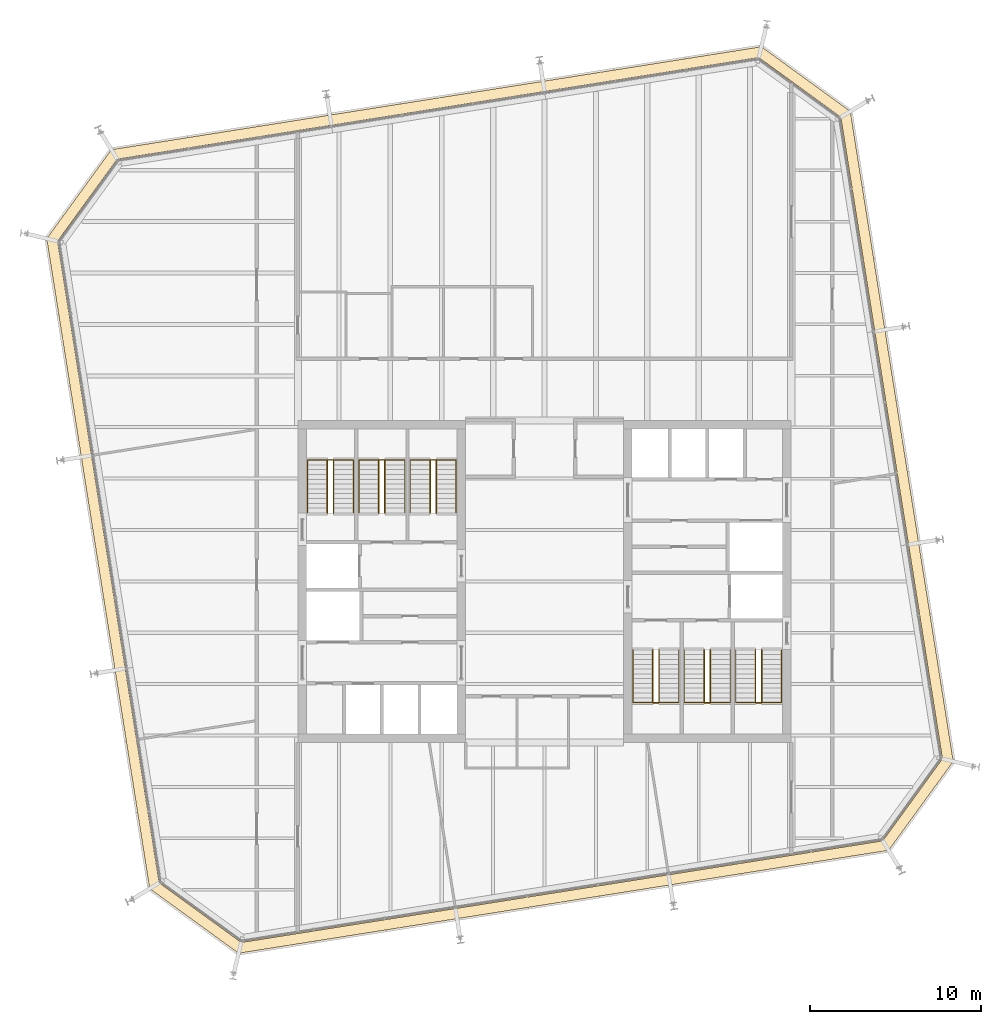
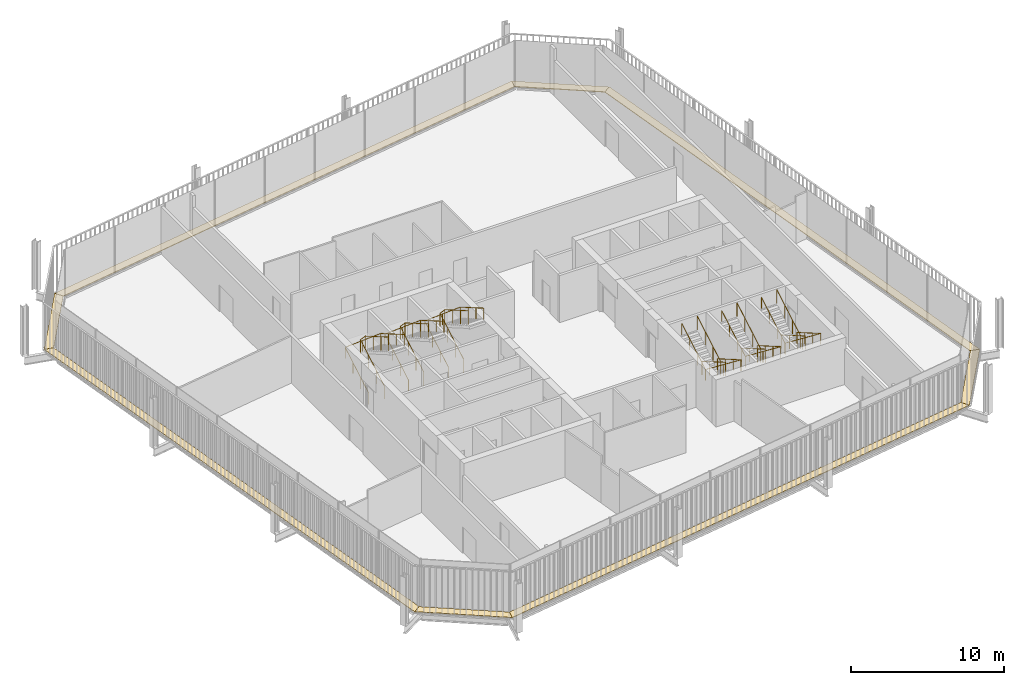
# One storey, part 20 of 20: 12 railings, 8 coverings.
"""IFC4 building model written with IfcOpenShell, lengths in metres."""

from ifc_helpers import new_model, si_unit, direction, frame, origin, origin_2d, place, context, subcontext, project, spatial, polyline, circle, outline, extrude, material, layer, layer_set, type_object, element, save


model = new_model("IFC4")

# Units and contexts
model_context = context("Model", 3, precision=1e-05, world=origin(), true_north=direction((0.0, 1.0)))
body_context = subcontext(model_context, "Body", "Model", "MODEL_VIEW")
ifc_project = project(units=[si_unit("LENGTHUNIT", "METRE"), si_unit("AREAUNIT", "SQUARE_METRE"), si_unit("VOLUMEUNIT", "CUBIC_METRE"), si_unit("PLANEANGLEUNIT", "RADIAN"), si_unit("MASSUNIT", "GRAM", prefix="KILO")], contexts=[model_context])

# Site, building, storey
site_placement = place(None, origin())
site = spatial("IfcSite", under=ifc_project, at=site_placement, CompositionType="ELEMENT")
building_placement = place(site_placement, origin())
building = spatial("IfcBuilding", under=site, at=building_placement, Name="Millrace Tower", CompositionType="ELEMENT")
storey_placement = place(building_placement, frame((0.0, 0.0, 259.10009765625)))
storey = spatial("IfcBuildingStorey", under=building, at=storey_placement, Name="L59", CompositionType="ELEMENT", Elevation=259.10009765625)

# Coverings
ifc_material_1 = material(Name="Steel ASTM A36", Category="steel")
ifc_layer = layer(ifc_material_1, 0.050048828125)
ifc_layer_set = layer_set([ifc_layer], Name="Steel ASTM A36")
covering_type = type_object("IfcCoveringType", Name="CAVITY CATWALK steel grating", PredefinedType="FLOORING", material=ifc_layer_set)
placement = place(storey_placement, frame((0.0, 0.0, 0.099853515625)))
element("IfcCovering", 1, at=placement, inside=storey, type_object=covering_type, Name="Cavity catwalk grating D-F01 L59 1", PredefinedType="FLOORING", context=body_context, shape_type="SweptSolid", body=[
    extrude(outline(polyline([(-23.052490234375, -17.939453125), (-17.85888671875, -21.712890625), (-17.707275390625, -21.081298828125), (-22.49853515625, -17.60009765625), (-23.052490234375, -17.939453125)])), origin(), (0.0, 0.0, 1.0), 0.050048828125),
])
element("IfcCovering", 2, at=placement, inside=storey, type_object=covering_type, Name="Cavity catwalk grating D-F02 L59 1", PredefinedType="FLOORING", context=body_context, shape_type="SweptSolid", body=[
    extrude(outline(polyline([(-17.85888671875, -21.712890625), (20.08935546875, -15.702392578125), (19.750244140625, -15.148681640625), (-17.707275390625, -21.081298828125), (-17.85888671875, -21.712890625)])), origin(), (0.0, 0.0, 1.0), 0.050048828125),
])
element("IfcCovering", 3, at=placement, inside=storey, type_object=covering_type, Name="Cavity catwalk grating D-F03 L59 1", PredefinedType="FLOORING", context=body_context, shape_type="SweptSolid", body=[
    extrude(outline(polyline([(20.08935546875, -15.702392578125), (23.86279296875, -10.5087890625), (23.231201171875, -10.357177734375), (19.750244140625, -15.148681640625), (20.08935546875, -15.702392578125)])), origin(), (0.0, 0.0, 1.0), 0.050048828125),
])
element("IfcCovering", 4, at=placement, inside=storey, type_object=covering_type, Name="Cavity catwalk grating D-F04 L59 1", PredefinedType="FLOORING", context=body_context, shape_type="SweptSolid", body=[
    extrude(outline(polyline([(23.86279296875, -10.5087890625), (17.852294921875, 27.439453125), (17.298583984375, 27.10009765625), (23.231201171875, -10.357177734375), (23.86279296875, -10.5087890625)])), origin(), (0.0, 0.0, 1.0), 0.050048828125),
])
element("IfcCovering", 5, at=placement, inside=storey, type_object=covering_type, Name="Cavity catwalk grating D-F05 L59 1", PredefinedType="FLOORING", context=body_context, shape_type="SweptSolid", body=[
    extrude(outline(polyline([(17.852294921875, 27.439453125), (12.658935546875, 31.212890625), (12.50732421875, 30.581298828125), (17.298583984375, 27.10009765625), (17.852294921875, 27.439453125)])), origin(), (0.0, 0.0, 1.0), 0.050048828125),
])
element("IfcCovering", 6, at=placement, inside=storey, type_object=covering_type, Name="Cavity catwalk grating D-F06 L59 1", PredefinedType="FLOORING", context=body_context, shape_type="SweptSolid", body=[
    extrude(outline(polyline([(12.658935546875, 31.212890625), (-25.28955078125, 25.202392578125), (-24.9501953125, 24.648681640625), (12.50732421875, 30.581298828125), (12.658935546875, 31.212890625)])), origin(), (0.0, 0.0, 1.0), 0.050048828125),
])
element("IfcCovering", 7, at=placement, inside=storey, type_object=covering_type, Name="Cavity catwalk grating D-F07 L59 1", PredefinedType="FLOORING", context=body_context, shape_type="SweptSolid", body=[
    extrude(outline(polyline([(-25.28955078125, 25.202392578125), (-29.062744140625, 20.0087890625), (-28.431396484375, 19.857177734375), (-24.9501953125, 24.648681640625), (-25.28955078125, 25.202392578125)])), origin(), (0.0, 0.0, 1.0), 0.050048828125),
])
element("IfcCovering", 8, at=placement, inside=storey, type_object=covering_type, Name="Cavity catwalk grating D-F08 L59 1", PredefinedType="FLOORING", context=body_context, shape_type="SweptSolid", body=[
    extrude(outline(polyline([(-29.062744140625, 20.0087890625), (-23.052490234375, -17.939453125), (-22.49853515625, -17.60009765625), (-28.431396484375, 19.857177734375), (-29.062744140625, 20.0087890625)])), origin(), (0.0, 0.0, 1.0), 0.050048828125),
])

# Railings
ifc_material_2 = material(Name="Stainless steel ASTM A240 type 316", Category="steel")
railing_type_1 = type_object("IfcRailingType", Name="Stair guard 1100", PredefinedType="GUARDRAIL", material=ifc_material_2)
for number, where, name in (
    (9, (-12.679931640625, 4.0, 0.162353515625), "Stair guard 1 W L59"),
    (10, (-9.679931640625, 4.0, 0.162353515625), "Stair guard 2 W L59"),
    (11, (-6.679931640625, 4.0, 0.162353515625), "Stair guard 3 W L59"),
):
    element("IfcRailing", number, at=place(storey_placement, frame(where)), inside=storey, type_object=railing_type_1, Name=name, PredefinedType="GUARDRAIL", context=body_context, shape_type="SweptSolid", body=[
        extrude(circle(Radius=0.02392578125, at=origin_2d()), frame((0.0, 0.0, 1.076171875), z_axis=(0.0, 0.864890721111, 0.501960198159), x_axis=(-1.0, 0.0, 0.0)), (0.0, 0.0, 1.0), 3.561279296875),
        extrude(circle(Radius=0.02392578125, at=origin_2d()), frame((0.0, 3.080078125, 2.86376953125), z_axis=(0.91152767309, 0.0, 0.411238739895), x_axis=(0.0, 1.0, 0.0)), (0.0, 0.0, 1.0), 0.394775390625),
        extrude(circle(Radius=0.02392578125, at=origin_2d()), frame((0.35986328125, 3.080078125, 3.02587890625), z_axis=(0.0, -0.864890721111, 0.501960198159), x_axis=(1.0, 0.0, 0.0)), (0.0, 0.0, 1.0), 3.561279296875),
        extrude(circle(Radius=0.02099609375, at=origin_2d()), origin(), (0.0, 0.0, 1.0), 1.052001953125),
        extrude(circle(Radius=0.02099609375, at=origin_2d()), frame((0.0, 1.026611328125, 0.595947265625)), (0.0, 0.0, 1.0), 1.052001953125),
        extrude(circle(Radius=0.02099609375, at=origin_2d()), frame((0.0, 2.053466796875, 1.191650390625)), (0.0, 0.0, 1.0), 1.052001953125),
        extrude(circle(Radius=0.02099609375, at=origin_2d()), frame((0.0, 3.080078125, 1.78759765625)), (0.0, 0.0, 1.0), 1.052001953125),
        extrude(circle(Radius=0.02099609375, at=origin_2d()), frame((0.35986328125, 3.080078125, 1.949951171875)), (0.0, 0.0, 1.0), 1.052001953125),
        extrude(circle(Radius=0.02099609375, at=origin_2d()), frame((0.35986328125, 2.053466796875, 2.5458984375)), (0.0, 0.0, 1.0), 1.052001953125),
        extrude(circle(Radius=0.02099609375, at=origin_2d()), frame((0.35986328125, 1.026611328125, 3.1416015625)), (0.0, 0.0, 1.0), 1.052001953125),
        extrude(circle(Radius=0.02099609375, at=origin_2d()), frame((0.35986328125, 0.0, 3.737548828125)), (0.0, 0.0, 1.0), 1.052001953125),
    ])
for number, where, name in (
    (12, (12.679931640625, -4.0, 0.162353515625), "Stair guard 1 E L59"),
    (13, (9.679931640625, -4.0, 0.162353515625), "Stair guard 2 E L59"),
    (14, (6.679931640625, -4.0, 0.162353515625), "Stair guard 3 E L59"),
):
    element("IfcRailing", number, at=place(storey_placement, frame(where)), inside=storey, type_object=railing_type_1, Name=name, PredefinedType="GUARDRAIL", context=body_context, shape_type="SweptSolid", body=[
        extrude(circle(Radius=0.02392578125, at=origin_2d()), frame((0.0, 0.0, 1.076171875), z_axis=(0.0, -0.864890721111, 0.501960198159), x_axis=(1.0, 0.0, 0.0)), (0.0, 0.0, 1.0), 3.561279296875),
        extrude(circle(Radius=0.02392578125, at=origin_2d()), frame((0.0, -3.080078125, 2.86376953125), z_axis=(-0.91152767309, 0.0, 0.411238739895), x_axis=(0.0, -1.0, 0.0)), (0.0, 0.0, 1.0), 0.394775390625),
        extrude(circle(Radius=0.02392578125, at=origin_2d()), frame((-0.35986328125, -3.080078125, 3.02587890625), z_axis=(0.0, 0.864890721111, 0.501960198159), x_axis=(-1.0, 0.0, 0.0)), (0.0, 0.0, 1.0), 3.561279296875),
        extrude(circle(Radius=0.02099609375, at=origin_2d()), origin(), (0.0, 0.0, 1.0), 1.052001953125),
        extrude(circle(Radius=0.02099609375, at=origin_2d()), frame((0.0, -1.026611328125, 0.595947265625)), (0.0, 0.0, 1.0), 1.052001953125),
        extrude(circle(Radius=0.02099609375, at=origin_2d()), frame((0.0, -2.053466796875, 1.191650390625)), (0.0, 0.0, 1.0), 1.052001953125),
        extrude(circle(Radius=0.02099609375, at=origin_2d()), frame((0.0, -3.080078125, 1.78759765625)), (0.0, 0.0, 1.0), 1.052001953125),
        extrude(circle(Radius=0.02099609375, at=origin_2d()), frame((-0.35986328125, -3.080078125, 1.949951171875)), (0.0, 0.0, 1.0), 1.052001953125),
        extrude(circle(Radius=0.02099609375, at=origin_2d()), frame((-0.35986328125, -2.053466796875, 2.5458984375)), (0.0, 0.0, 1.0), 1.052001953125),
        extrude(circle(Radius=0.02099609375, at=origin_2d()), frame((-0.35986328125, -1.026611328125, 3.1416015625)), (0.0, 0.0, 1.0), 1.052001953125),
        extrude(circle(Radius=0.02099609375, at=origin_2d()), frame((-0.35986328125, 0.0, 3.737548828125)), (0.0, 0.0, 1.0), 1.052001953125),
    ])
ifc_material_3 = material(Name="Stainless steel ASTM A240 type 316", Category="steel")
railing_type_2 = type_object("IfcRailingType", Name="Stair handrail 900", PredefinedType="HANDRAIL", material=ifc_material_3)
railing_1_placement = place(storey_placement, frame((-13.840087890625, 4.0, 0.162353515625)))
element("IfcRailing", 15, at=railing_1_placement, inside=storey, type_object=railing_type_2, Name="Stair handrail 1 W L59", PredefinedType="HANDRAIL", context=body_context, shape_type="SweptSolid", body=[
    extrude(circle(Radius=0.02392578125, at=origin_2d()), frame((0.0, 0.0, 0.8759765625), z_axis=(0.0, 0.864890721111, 0.501960198159), x_axis=(-1.0, 0.0, 0.0)), (0.0, 0.0, 1.0), 3.561279296875),
    extrude(circle(Radius=0.02392578125, at=origin_2d()), frame((0.0, 3.080078125, 2.66357421875), z_axis=(0.998170326313, 0.0, 0.06046486309), x_axis=(0.0, 1.0, 0.0)), (0.0, 0.0, 1.0), 2.68505859375),
    extrude(circle(Radius=0.02392578125, at=origin_2d()), frame((2.68017578125, 3.080078125, 2.82568359375), z_axis=(0.0, -0.864890721111, 0.501960198159), x_axis=(1.0, 0.0, 0.0)), (0.0, 0.0, 1.0), 3.561279296875),
    extrude(circle(Radius=0.02099609375, at=origin_2d()), origin(), (0.0, 0.0, 1.0), 0.851806640625),
    extrude(circle(Radius=0.02099609375, at=origin_2d()), frame((0.0, 1.026611328125, 0.595947265625)), (0.0, 0.0, 1.0), 0.851806640625),
    extrude(circle(Radius=0.02099609375, at=origin_2d()), frame((0.0, 2.053466796875, 1.191650390625)), (0.0, 0.0, 1.0), 0.851806640625),
    extrude(circle(Radius=0.02099609375, at=origin_2d()), frame((0.0, 3.080078125, 1.78759765625)), (0.0, 0.0, 1.0), 0.851806640625),
    extrude(circle(Radius=0.02099609375, at=origin_2d()), frame((1.340087890625, 3.080078125, 1.86865234375)), (0.0, 0.0, 1.0), 0.851806640625),
    extrude(circle(Radius=0.02099609375, at=origin_2d()), frame((2.68017578125, 3.080078125, 1.949951171875)), (0.0, 0.0, 1.0), 0.851806640625),
    extrude(circle(Radius=0.02099609375, at=origin_2d()), frame((2.68017578125, 2.053466796875, 2.5458984375)), (0.0, 0.0, 1.0), 0.851806640625),
    extrude(circle(Radius=0.02099609375, at=origin_2d()), frame((2.68017578125, 1.026611328125, 3.1416015625)), (0.0, 0.0, 1.0), 0.851806640625),
    extrude(circle(Radius=0.02099609375, at=origin_2d()), frame((2.68017578125, 0.0, 3.737548828125)), (0.0, 0.0, 1.0), 0.851806640625),
])
railing_2_placement = place(storey_placement, frame((-10.840087890625, 4.0, 0.162353515625)))
element("IfcRailing", 16, at=railing_2_placement, inside=storey, type_object=railing_type_2, Name="Stair handrail 2 W L59", PredefinedType="HANDRAIL", context=body_context, shape_type="SweptSolid", body=[
    extrude(circle(Radius=0.02392578125, at=origin_2d()), frame((0.0, 0.0, 0.8759765625), z_axis=(0.0, 0.864890721111, 0.501960198159), x_axis=(-1.0, 0.0, 0.0)), (0.0, 0.0, 1.0), 3.561279296875),
    extrude(circle(Radius=0.02392578125, at=origin_2d()), frame((0.0, 3.080078125, 2.66357421875), z_axis=(0.998170326313, 0.0, 0.06046486309), x_axis=(0.0, 1.0, 0.0)), (0.0, 0.0, 1.0), 2.68505859375),
    extrude(circle(Radius=0.02392578125, at=origin_2d()), frame((2.68017578125, 3.080078125, 2.82568359375), z_axis=(0.0, -0.864890721111, 0.501960198159), x_axis=(1.0, 0.0, 0.0)), (0.0, 0.0, 1.0), 3.561279296875),
    extrude(circle(Radius=0.02099609375, at=origin_2d()), origin(), (0.0, 0.0, 1.0), 0.851806640625),
    extrude(circle(Radius=0.02099609375, at=origin_2d()), frame((0.0, 1.026611328125, 0.595947265625)), (0.0, 0.0, 1.0), 0.851806640625),
    extrude(circle(Radius=0.02099609375, at=origin_2d()), frame((0.0, 2.053466796875, 1.191650390625)), (0.0, 0.0, 1.0), 0.851806640625),
    extrude(circle(Radius=0.02099609375, at=origin_2d()), frame((0.0, 3.080078125, 1.78759765625)), (0.0, 0.0, 1.0), 0.851806640625),
    extrude(circle(Radius=0.02099609375, at=origin_2d()), frame((1.340087890625, 3.080078125, 1.86865234375)), (0.0, 0.0, 1.0), 0.851806640625),
    extrude(circle(Radius=0.02099609375, at=origin_2d()), frame((2.68017578125, 3.080078125, 1.949951171875)), (0.0, 0.0, 1.0), 0.851806640625),
    extrude(circle(Radius=0.02099609375, at=origin_2d()), frame((2.68017578125, 2.053466796875, 2.5458984375)), (0.0, 0.0, 1.0), 0.851806640625),
    extrude(circle(Radius=0.02099609375, at=origin_2d()), frame((2.68017578125, 1.026611328125, 3.1416015625)), (0.0, 0.0, 1.0), 0.851806640625),
    extrude(circle(Radius=0.02099609375, at=origin_2d()), frame((2.68017578125, 0.0, 3.737548828125)), (0.0, 0.0, 1.0), 0.851806640625),
])
railing_3_placement = place(storey_placement, frame((-7.840087890625, 4.0, 0.162353515625)))
element("IfcRailing", 17, at=railing_3_placement, inside=storey, type_object=railing_type_2, Name="Stair handrail 3 W L59", PredefinedType="HANDRAIL", context=body_context, shape_type="SweptSolid", body=[
    extrude(circle(Radius=0.02392578125, at=origin_2d()), frame((0.0, 0.0, 0.8759765625), z_axis=(0.0, 0.864890721111, 0.501960198159), x_axis=(-1.0, 0.0, 0.0)), (0.0, 0.0, 1.0), 3.561279296875),
    extrude(circle(Radius=0.02392578125, at=origin_2d()), frame((0.0, 3.080078125, 2.66357421875), z_axis=(0.998170326313, 0.0, 0.06046486309), x_axis=(0.0, 1.0, 0.0)), (0.0, 0.0, 1.0), 2.68505859375),
    extrude(circle(Radius=0.02392578125, at=origin_2d()), frame((2.68017578125, 3.080078125, 2.82568359375), z_axis=(0.0, -0.864890721111, 0.501960198159), x_axis=(1.0, 0.0, 0.0)), (0.0, 0.0, 1.0), 3.561279296875),
    extrude(circle(Radius=0.02099609375, at=origin_2d()), origin(), (0.0, 0.0, 1.0), 0.851806640625),
    extrude(circle(Radius=0.02099609375, at=origin_2d()), frame((0.0, 1.026611328125, 0.595947265625)), (0.0, 0.0, 1.0), 0.851806640625),
    extrude(circle(Radius=0.02099609375, at=origin_2d()), frame((0.0, 2.053466796875, 1.191650390625)), (0.0, 0.0, 1.0), 0.851806640625),
    extrude(circle(Radius=0.02099609375, at=origin_2d()), frame((0.0, 3.080078125, 1.78759765625)), (0.0, 0.0, 1.0), 0.851806640625),
    extrude(circle(Radius=0.02099609375, at=origin_2d()), frame((1.340087890625, 3.080078125, 1.86865234375)), (0.0, 0.0, 1.0), 0.851806640625),
    extrude(circle(Radius=0.02099609375, at=origin_2d()), frame((2.68017578125, 3.080078125, 1.949951171875)), (0.0, 0.0, 1.0), 0.851806640625),
    extrude(circle(Radius=0.02099609375, at=origin_2d()), frame((2.68017578125, 2.053466796875, 2.5458984375)), (0.0, 0.0, 1.0), 0.851806640625),
    extrude(circle(Radius=0.02099609375, at=origin_2d()), frame((2.68017578125, 1.026611328125, 3.1416015625)), (0.0, 0.0, 1.0), 0.851806640625),
    extrude(circle(Radius=0.02099609375, at=origin_2d()), frame((2.68017578125, 0.0, 3.737548828125)), (0.0, 0.0, 1.0), 0.851806640625),
])
railing_4_placement = place(storey_placement, frame((13.840087890625, -4.0, 0.162353515625)))
element("IfcRailing", 18, at=railing_4_placement, inside=storey, type_object=railing_type_2, Name="Stair handrail 1 E L59", PredefinedType="HANDRAIL", context=body_context, shape_type="SweptSolid", body=[
    extrude(circle(Radius=0.02392578125, at=origin_2d()), frame((0.0, 0.0, 0.8759765625), z_axis=(0.0, -0.864890721111, 0.501960198159), x_axis=(1.0, 0.0, 0.0)), (0.0, 0.0, 1.0), 3.561279296875),
    extrude(circle(Radius=0.02392578125, at=origin_2d()), frame((0.0, -3.080078125, 2.66357421875), z_axis=(-0.998170326313, 0.0, 0.06046486309), x_axis=(0.0, -1.0, 0.0)), (0.0, 0.0, 1.0), 2.68505859375),
    extrude(circle(Radius=0.02392578125, at=origin_2d()), frame((-2.68017578125, -3.080078125, 2.82568359375), z_axis=(0.0, 0.864890721111, 0.501960198159), x_axis=(-1.0, 0.0, 0.0)), (0.0, 0.0, 1.0), 3.561279296875),
    extrude(circle(Radius=0.02099609375, at=origin_2d()), origin(), (0.0, 0.0, 1.0), 0.851806640625),
    extrude(circle(Radius=0.02099609375, at=origin_2d()), frame((0.0, -1.026611328125, 0.595947265625)), (0.0, 0.0, 1.0), 0.851806640625),
    extrude(circle(Radius=0.02099609375, at=origin_2d()), frame((0.0, -2.053466796875, 1.191650390625)), (0.0, 0.0, 1.0), 0.851806640625),
    extrude(circle(Radius=0.02099609375, at=origin_2d()), frame((0.0, -3.080078125, 1.78759765625)), (0.0, 0.0, 1.0), 0.851806640625),
    extrude(circle(Radius=0.02099609375, at=origin_2d()), frame((-1.340087890625, -3.080078125, 1.86865234375)), (0.0, 0.0, 1.0), 0.851806640625),
    extrude(circle(Radius=0.02099609375, at=origin_2d()), frame((-2.68017578125, -3.080078125, 1.949951171875)), (0.0, 0.0, 1.0), 0.851806640625),
    extrude(circle(Radius=0.02099609375, at=origin_2d()), frame((-2.68017578125, -2.053466796875, 2.5458984375)), (0.0, 0.0, 1.0), 0.851806640625),
    extrude(circle(Radius=0.02099609375, at=origin_2d()), frame((-2.68017578125, -1.026611328125, 3.1416015625)), (0.0, 0.0, 1.0), 0.851806640625),
    extrude(circle(Radius=0.02099609375, at=origin_2d()), frame((-2.68017578125, 0.0, 3.737548828125)), (0.0, 0.0, 1.0), 0.851806640625),
])
railing_5_placement = place(storey_placement, frame((10.840087890625, -4.0, 0.162353515625)))
element("IfcRailing", 19, at=railing_5_placement, inside=storey, type_object=railing_type_2, Name="Stair handrail 2 E L59", PredefinedType="HANDRAIL", context=body_context, shape_type="SweptSolid", body=[
    extrude(circle(Radius=0.02392578125, at=origin_2d()), frame((0.0, 0.0, 0.8759765625), z_axis=(0.0, -0.864890721111, 0.501960198159), x_axis=(1.0, 0.0, 0.0)), (0.0, 0.0, 1.0), 3.561279296875),
    extrude(circle(Radius=0.02392578125, at=origin_2d()), frame((0.0, -3.080078125, 2.66357421875), z_axis=(-0.998170326313, 0.0, 0.06046486309), x_axis=(0.0, -1.0, 0.0)), (0.0, 0.0, 1.0), 2.68505859375),
    extrude(circle(Radius=0.02392578125, at=origin_2d()), frame((-2.68017578125, -3.080078125, 2.82568359375), z_axis=(0.0, 0.864890721111, 0.501960198159), x_axis=(-1.0, 0.0, 0.0)), (0.0, 0.0, 1.0), 3.561279296875),
    extrude(circle(Radius=0.02099609375, at=origin_2d()), origin(), (0.0, 0.0, 1.0), 0.851806640625),
    extrude(circle(Radius=0.02099609375, at=origin_2d()), frame((0.0, -1.026611328125, 0.595947265625)), (0.0, 0.0, 1.0), 0.851806640625),
    extrude(circle(Radius=0.02099609375, at=origin_2d()), frame((0.0, -2.053466796875, 1.191650390625)), (0.0, 0.0, 1.0), 0.851806640625),
    extrude(circle(Radius=0.02099609375, at=origin_2d()), frame((0.0, -3.080078125, 1.78759765625)), (0.0, 0.0, 1.0), 0.851806640625),
    extrude(circle(Radius=0.02099609375, at=origin_2d()), frame((-1.340087890625, -3.080078125, 1.86865234375)), (0.0, 0.0, 1.0), 0.851806640625),
    extrude(circle(Radius=0.02099609375, at=origin_2d()), frame((-2.68017578125, -3.080078125, 1.949951171875)), (0.0, 0.0, 1.0), 0.851806640625),
    extrude(circle(Radius=0.02099609375, at=origin_2d()), frame((-2.68017578125, -2.053466796875, 2.5458984375)), (0.0, 0.0, 1.0), 0.851806640625),
    extrude(circle(Radius=0.02099609375, at=origin_2d()), frame((-2.68017578125, -1.026611328125, 3.1416015625)), (0.0, 0.0, 1.0), 0.851806640625),
    extrude(circle(Radius=0.02099609375, at=origin_2d()), frame((-2.68017578125, 0.0, 3.737548828125)), (0.0, 0.0, 1.0), 0.851806640625),
])
railing_6_placement = place(storey_placement, frame((7.840087890625, -4.0, 0.162353515625)))
element("IfcRailing", 20, at=railing_6_placement, inside=storey, type_object=railing_type_2, Name="Stair handrail 3 E L59", PredefinedType="HANDRAIL", context=body_context, shape_type="SweptSolid", body=[
    extrude(circle(Radius=0.02392578125, at=origin_2d()), frame((0.0, 0.0, 0.8759765625), z_axis=(0.0, -0.864890721111, 0.501960198159), x_axis=(1.0, 0.0, 0.0)), (0.0, 0.0, 1.0), 3.561279296875),
    extrude(circle(Radius=0.02392578125, at=origin_2d()), frame((0.0, -3.080078125, 2.66357421875), z_axis=(-0.998170326313, 0.0, 0.06046486309), x_axis=(0.0, -1.0, 0.0)), (0.0, 0.0, 1.0), 2.68505859375),
    extrude(circle(Radius=0.02392578125, at=origin_2d()), frame((-2.68017578125, -3.080078125, 2.82568359375), z_axis=(0.0, 0.864890721111, 0.501960198159), x_axis=(-1.0, 0.0, 0.0)), (0.0, 0.0, 1.0), 3.561279296875),
    extrude(circle(Radius=0.02099609375, at=origin_2d()), origin(), (0.0, 0.0, 1.0), 0.851806640625),
    extrude(circle(Radius=0.02099609375, at=origin_2d()), frame((0.0, -1.026611328125, 0.595947265625)), (0.0, 0.0, 1.0), 0.851806640625),
    extrude(circle(Radius=0.02099609375, at=origin_2d()), frame((0.0, -2.053466796875, 1.191650390625)), (0.0, 0.0, 1.0), 0.851806640625),
    extrude(circle(Radius=0.02099609375, at=origin_2d()), frame((0.0, -3.080078125, 1.78759765625)), (0.0, 0.0, 1.0), 0.851806640625),
    extrude(circle(Radius=0.02099609375, at=origin_2d()), frame((-1.340087890625, -3.080078125, 1.86865234375)), (0.0, 0.0, 1.0), 0.851806640625),
    extrude(circle(Radius=0.02099609375, at=origin_2d()), frame((-2.68017578125, -3.080078125, 1.949951171875)), (0.0, 0.0, 1.0), 0.851806640625),
    extrude(circle(Radius=0.02099609375, at=origin_2d()), frame((-2.68017578125, -2.053466796875, 2.5458984375)), (0.0, 0.0, 1.0), 0.851806640625),
    extrude(circle(Radius=0.02099609375, at=origin_2d()), frame((-2.68017578125, -1.026611328125, 3.1416015625)), (0.0, 0.0, 1.0), 0.851806640625),
    extrude(circle(Radius=0.02099609375, at=origin_2d()), frame((-2.68017578125, 0.0, 3.737548828125)), (0.0, 0.0, 1.0), 0.851806640625),
])

save(model, "model.ifc")
